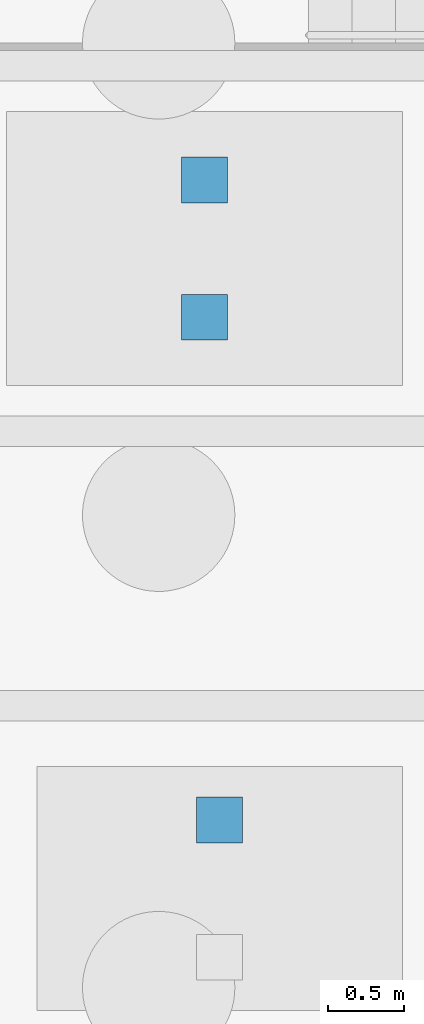
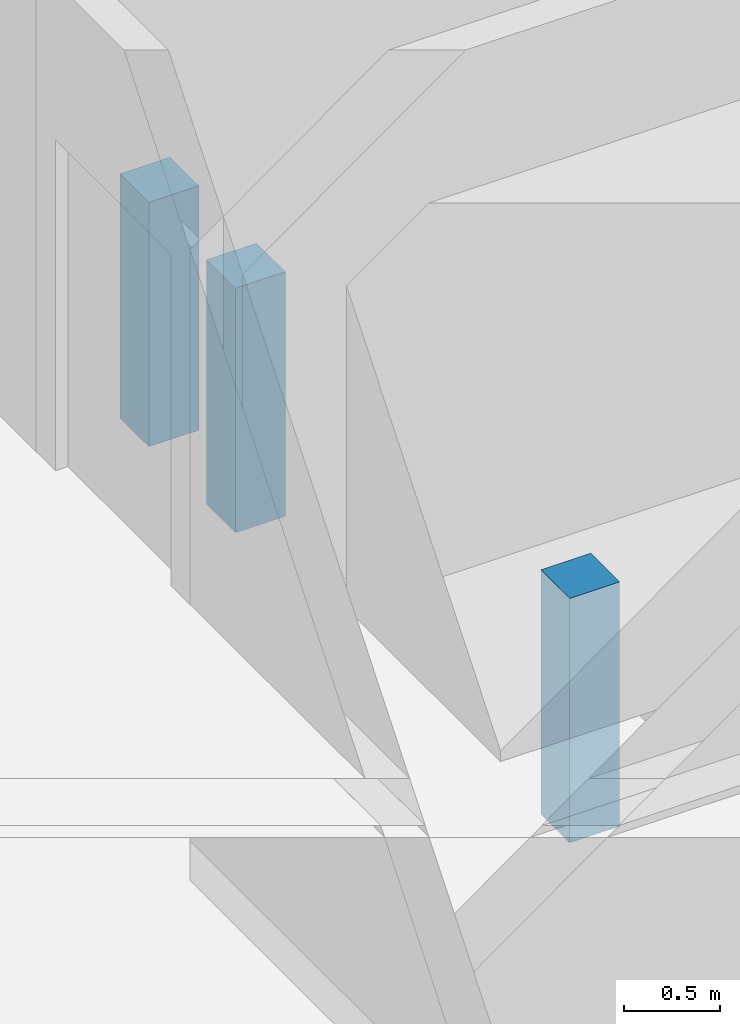
# One storey, part 101 of 130: 3 discrete accessories.
"""IFC4 building model written with IfcOpenShell, lengths in metres."""

from ifc_helpers import new_model, si_unit, direction, frame, origin, origin_2d, place, context, subcontext, project, spatial, rectangle, extrude, material, type_object, element, save


model = new_model("IFC4")

# Units and contexts
model_context = context("Model", 3, precision=1e-05, world=origin(), true_north=direction((0.0, 1.0)))
body_context = subcontext(model_context, "Body", "Model", "MODEL_VIEW")
ifc_project = project(units=[si_unit("LENGTHUNIT", "METRE"), si_unit("AREAUNIT", "SQUARE_METRE"), si_unit("VOLUMEUNIT", "CUBIC_METRE"), si_unit("PLANEANGLEUNIT", "RADIAN"), si_unit("MASSUNIT", "GRAM", prefix="KILO")], contexts=[model_context])

# Site, building, storey
site_placement = place(None, origin())
site = spatial("IfcSite", under=ifc_project, at=site_placement, CompositionType="ELEMENT")
building_placement = place(site_placement, origin())
building = spatial("IfcBuilding", under=site, at=building_placement, Name="Parallax Yard Mobility Hub", CompositionType="ELEMENT")
storey_placement = place(building_placement, origin())
storey = spatial("IfcBuildingStorey", under=building, at=storey_placement, Name="L00", CompositionType="ELEMENT", Elevation=0.0)

# Discrete accessories
ifc_material = material(Name="Steel ASTM A36", Category="steel")
discrete_accessory_type = type_object("IfcDiscreteAccessoryType", Name="Lift car buffer stand", PredefinedType="BRACKET", material=ifc_material)
for number, where, z_axis, x_axis, name in (
    (1, (16.949951171875, 127.050048828125, -1.5), (0.0, 0.0, 1.0), (0.0, 1.0, 0.0), "Lift LF2 buffer stand 2 in core C-W"),
    (2, (16.85009765625, 130.35009765625, -1.5), (0.0, 0.0, 1.0), (0.0, 1.0, 0.0), "Lift LF3 buffer stand 1 in core C-W"),
    (3, (16.85009765625, 131.25, -1.5), (0.0, 0.0, 1.0), (0.0, 1.0, 0.0), "Lift LF3 buffer stand 2 in core C-W"),
):
    element("IfcDiscreteAccessory", number, at=place(storey_placement, frame(where, z_axis=z_axis, x_axis=x_axis)), inside=storey, type_object=discrete_accessory_type, Name=name, PredefinedType="BRACKET", context=body_context, shape_type="SweptSolid", body=[
        extrude(rectangle(XDim=0.300048828125, YDim=0.300048828125, at=origin_2d()), origin(), (0.0, 0.0, 1.0), 1.550048828125),
    ])

save(model, "model.ifc")
